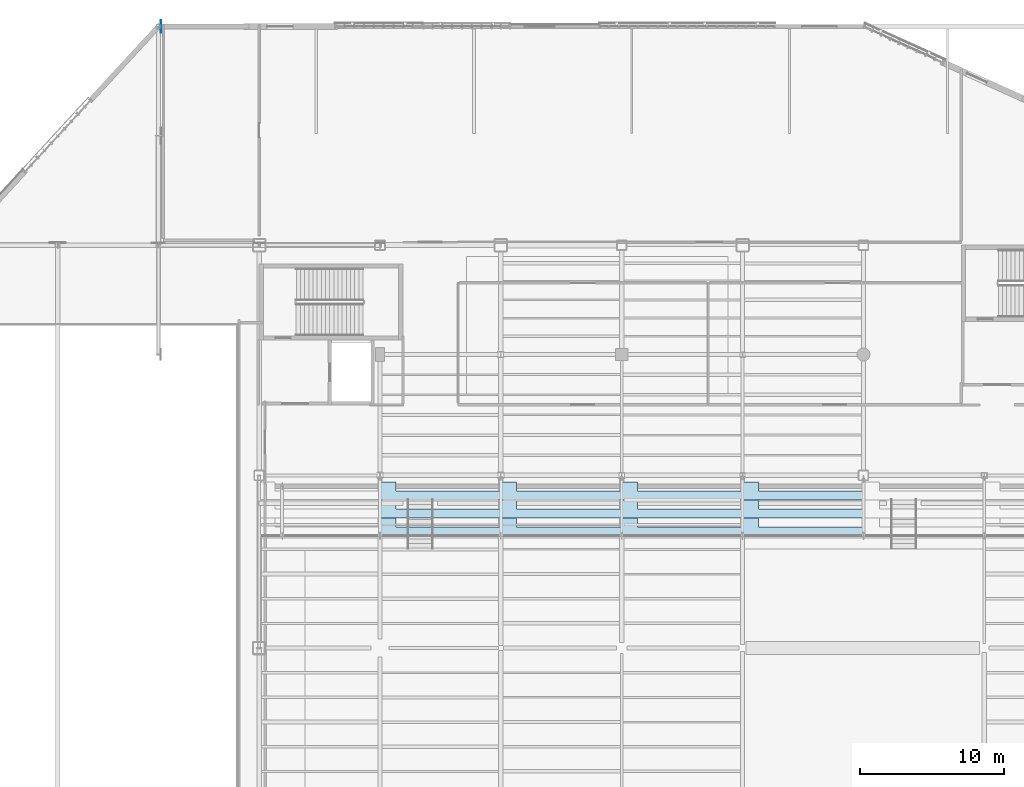
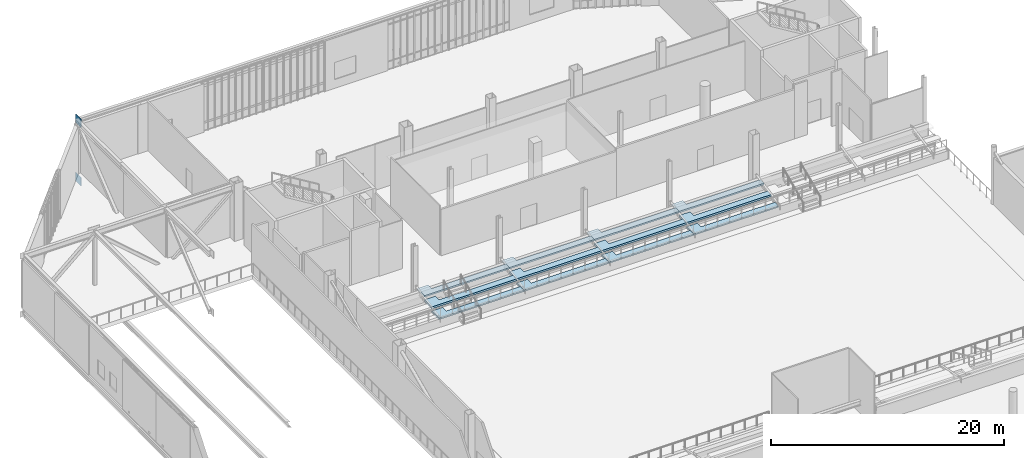
# One storey, part 74 of 135: 12 slabs, 2 plates.
"""IFC4 building model written with IfcOpenShell, lengths in metres."""

import ifcopenshell
import ifcopenshell.guid

model = None  # the IFC model being written
_history = None  # IfcOwnerHistory: only IFC2X3 demands one
_inside = {}  # id of a spatial element -> (the spatial element, [elements in it])
_under = {}  # id of a project, library or spatial element -> (it, [spatial elements below it])
_declared = {}  # id of a project -> (the project, [libraries it declares])
_typed = {}  # id of a type object -> (the type object, [elements of that type])
_made_of = {}  # id of a material, layer set ... -> (it, [elements and type objects made of it])


def new_model(schema):
    """Start an empty IFC model of exactly this schema.

    Asked for "IFC4X3", IfcOpenShell would pick the latest addendum, in which some entities
    have other attributes; the version numbers below select the first issue.
    IFC2X3 requires an IfcOwnerHistory on every rooted entity: one is made here for all.
    """
    global model, _history
    if schema == "IFC4X3":
        model = ifcopenshell.file(schema_version=(4, 3, 0, 0))
    else:
        model = ifcopenshell.file(schema=schema)
    _inside.clear()
    _under.clear()
    _declared.clear()
    _typed.clear()
    _made_of.clear()
    _history = None
    if model.schema == "IFC2X3":
        org = make("IfcOrganization", Name="unknown")
        user = make(
            "IfcPersonAndOrganization",
            ThePerson=make("IfcPerson", FamilyName="unknown"),
            TheOrganization=org,
        )
        app = make(
            "IfcApplication",
            ApplicationDeveloper=org,
            Version="unknown",
            ApplicationFullName="unknown",
            ApplicationIdentifier="unknown",
        )
        _history = make(
            "IfcOwnerHistory",
            OwningUser=user,
            OwningApplication=app,
            ChangeAction="ADDED",
            CreationDate=0,
        )
    return model


def make(cls, **values):
    """One entity of the class cls with the attributes given. An attribute that is None is left unset."""
    return model.create_entity(
        cls, **{name: value for name, value in values.items() if value is not None}
    )


def rooted(cls, **values):
    """An entity with a GlobalId (a new one), such as an element, a storey or a relation."""
    return make(cls, GlobalId=ifcopenshell.guid.new(), OwnerHistory=_history, **values)


def si_unit(unit_type, name, prefix=None):
    """IfcSIUnit, for example si_unit("LENGTHUNIT", "METRE", prefix="MILLI")."""
    return make("IfcSIUnit", UnitType=unit_type, Prefix=prefix, Name=name)


def assignment(units):
    """IfcUnitAssignment: the units of a project."""
    return None if units is None else make("IfcUnitAssignment", Units=units)


def point(xyz):
    """IfcCartesianPoint."""
    return None if xyz is None else make("IfcCartesianPoint", Coordinates=xyz)


def direction(xyz):
    """IfcDirection."""
    return None if xyz is None else make("IfcDirection", DirectionRatios=xyz)


def frame(location, z_axis=None, x_axis=None):
    """IfcAxis2Placement3D, a coordinate frame: its origin and axes. An axis left out is left unset."""
    return make(
        "IfcAxis2Placement3D",
        Location=point(location),
        Axis=direction(z_axis),
        RefDirection=direction(x_axis),
    )


def frame_2d(location, x_axis=None):
    """IfcAxis2Placement2D, a coordinate frame in the plane: its origin and x axis."""
    return make(
        "IfcAxis2Placement2D", Location=point(location), RefDirection=direction(x_axis)
    )


def origin():
    """The frame at (0, 0, 0) with its axes left unset."""
    return frame((0.0, 0.0, 0.0))


def origin_2d():
    """The frame at (0, 0) in the plane with its x axis left unset."""
    return frame_2d((0.0, 0.0))


def place(relative_to, where):
    """IfcLocalPlacement: puts the frame where relative to a parent placement (None: the world)."""
    return make(
        "IfcLocalPlacement", PlacementRelTo=relative_to, RelativePlacement=where
    )


def context(
    kind, dimensions, precision=None, world=None, true_north=None, identifier=None
):
    """IfcGeometricRepresentationContext, for example the 3D "Model" context."""
    return make(
        "IfcGeometricRepresentationContext",
        ContextIdentifier=identifier,
        ContextType=kind,
        CoordinateSpaceDimension=dimensions,
        Precision=precision,
        WorldCoordinateSystem=world,
        TrueNorth=true_north,
    )


def subcontext(parent, identifier, kind, view, scale=None):
    """IfcGeometricRepresentationSubContext, for example "Body" below "Model"."""
    return make(
        "IfcGeometricRepresentationSubContext",
        ContextIdentifier=identifier,
        ContextType=kind,
        ParentContext=parent,
        TargetScale=scale,
        TargetView=view,
    )


def project(units=None, contexts=None):
    """IfcProject with its units and contexts."""
    return rooted(
        "IfcProject",
        Name="project",
        RepresentationContexts=contexts,
        UnitsInContext=assignment(units),
    )


def spatial(cls, under=None, at=None, **own):
    """A site, building, storey or space (cls), placed at a placement, below another one or the project."""
    s = rooted(cls, ObjectPlacement=at, **own)
    if under is not None:
        _under.setdefault(under.id(), (under, []))[1].append(s)
    return s


def polyline(points):
    """IfcPolyline through the points."""
    return make("IfcPolyline", Points=[point(p) for p in points])


def profile(cls, at=None, kind="AREA", **sizes):
    """A parametric profile (cls). Its sizes go by their IFC names, for example OverallWidth=200.0."""
    return make(cls, ProfileType=kind, Position=at, **sizes)


def rectangle(**sizes):
    """IfcRectangleProfileDef."""
    return profile("IfcRectangleProfileDef", **sizes)


def outline(outer, holes=None, kind="AREA"):
    """IfcArbitraryClosedProfileDef: a profile drawn as a closed curve; with holes, ...WithVoids."""
    if holes is None:
        return make("IfcArbitraryClosedProfileDef", ProfileType=kind, OuterCurve=outer)
    return make(
        "IfcArbitraryProfileDefWithVoids",
        ProfileType=kind,
        OuterCurve=outer,
        InnerCurves=holes,
    )


def extrude(swept, where, along, depth):
    """IfcExtrudedAreaSolid: the profile swept, set in the frame where, extruded along a direction by depth."""
    return make(
        "IfcExtrudedAreaSolid",
        SweptArea=swept,
        Position=where,
        ExtrudedDirection=direction(along),
        Depth=depth,
    )


def shape(context_of_items, identifier, shape_type, items):
    """IfcShapeRepresentation: the items that make up one representation, for example the "Body"."""
    return make(
        "IfcShapeRepresentation",
        ContextOfItems=context_of_items,
        RepresentationIdentifier=identifier,
        RepresentationType=shape_type,
        Items=items,
    )


def material(Name=None, Category=None):
    """IfcMaterial."""
    return make("IfcMaterial", Name=Name, Category=Category)


def layer(
    of_material, thickness, ventilated=None, Name=None, Category=None, Priority=None
):
    """IfcMaterialLayer: one layer of a wall or slab, of a material (None: an air gap)."""
    return make(
        "IfcMaterialLayer",
        Material=of_material,
        LayerThickness=thickness,
        IsVentilated=ventilated,
        Name=Name,
        Category=Category,
        Priority=Priority,
    )


def layer_set(layers, Name=None):
    """IfcMaterialLayerSet."""
    return make("IfcMaterialLayerSet", MaterialLayers=layers, LayerSetName=Name)


def made_of(thing, what):
    """Note that an element or type object is made of a material, layer set ...; save() writes the relation."""
    if what is not None:
        _made_of.setdefault(what.id(), (what, []))[1].append(thing)
    return thing


def type_object(cls, material=None, **own):
    """A type object (cls), such as IfcWallType, which elements share."""
    return made_of(rooted(cls, **own), material)


def element(
    cls,
    number,
    at=None,
    inside=None,
    cuts=None,
    type_object=None,
    material=None,
    context=None,
    identifier="Body",
    shape_type=None,
    held_by="IfcProductDefinitionShape",
    body=None,
    shapes=None,
    **own,
):
    """One element of the class cls, such as IfcWall. Its Tag is "e" and its number.

    at: its placement. inside: the storey or other place that contains it. cuts: it is an
    opening in that element (IfcRelVoidsElement). A single representation is given by context,
    identifier, shape_type and body (its items); several are given by shapes. held_by: the class
    of the entity that holds the representations. save() writes the other relations.
    """
    e = rooted(cls, Tag="e%d" % number, ObjectPlacement=at, **own)
    if body is not None:
        shapes = [shape(context, identifier, shape_type, body)]
    if shapes is not None:
        e.Representation = make(held_by, Representations=shapes)
    if inside is not None:
        _inside.setdefault(inside.id(), (inside, []))[1].append(e)
    if cuts is not None:
        rooted(
            "IfcRelVoidsElement", RelatingBuildingElement=cuts, RelatedOpeningElement=e
        )
    if type_object is not None:
        _typed.setdefault(type_object.id(), (type_object, []))[1].append(e)
    return made_of(e, material)


def aggregate(whole, parts):
    """IfcRelAggregates: a whole, such as a stair, and the parts it consists of."""
    return rooted("IfcRelAggregates", RelatingObject=whole, RelatedObjects=parts)


def save(model, path):
    """Write the relations noted so far, then the file.

    IfcRelAggregates (storeys below a building ...), IfcRelContainedInSpatialStructure (elements
    in a storey), IfcRelDefinesByType, IfcRelAssociatesMaterial and IfcRelDeclares: one each for
    every whole, place, type object, material and project.
    """
    for whole, parts in _under.values():
        aggregate(whole, parts)
    for where, things in _inside.values():
        rooted(
            "IfcRelContainedInSpatialStructure",
            RelatedElements=things,
            RelatingStructure=where,
        )
    for kind, things in _typed.values():
        rooted("IfcRelDefinesByType", RelatedObjects=things, RelatingType=kind)
    for what, things in _made_of.values():
        rooted("IfcRelAssociatesMaterial", RelatedObjects=things, RelatingMaterial=what)
    for by, libraries in _declared.values():
        rooted("IfcRelDeclares", RelatingContext=by, RelatedDefinitions=libraries)
    model.write(path)


model = new_model("IFC4")

# Units and contexts
model_context = context("Model", 3, precision=1e-05, world=origin(), true_north=direction((0.0, 1.0)))
body_context = subcontext(model_context, "Body", "Model", "MODEL_VIEW")
ifc_project = project(units=[si_unit("LENGTHUNIT", "METRE"), si_unit("AREAUNIT", "SQUARE_METRE"), si_unit("VOLUMEUNIT", "CUBIC_METRE"), si_unit("PLANEANGLEUNIT", "RADIAN"), si_unit("MASSUNIT", "GRAM", prefix="KILO")], contexts=[model_context])

# Site, building, storey
site_placement = place(None, origin())
site = spatial("IfcSite", under=ifc_project, at=site_placement, CompositionType="ELEMENT")
building_placement = place(site_placement, origin())
building = spatial("IfcBuilding", under=site, at=building_placement, Name="Larkvane Passage Sports Hall", CompositionType="ELEMENT")
storey_placement = place(building_placement, frame((0.0, 0.0, 10.800048828125)))
storey = spatial("IfcBuildingStorey", under=building, at=storey_placement, Name="L02", CompositionType="ELEMENT", Elevation=10.800048828125)

# Plates
ifc_material_1 = material(Name="Steel S460N", Category="steel")
ifc_layer_1 = layer(ifc_material_1, 0.031982421875)
ifc_layer_set_1 = layer_set([ifc_layer_1], Name="Steel S460N")
plate_type = type_object("IfcPlateType", Name="PLT-GUS-32", PredefinedType="USERDEFINED", material=ifc_layer_set_1)
for number, where, z_axis, x_axis, name in (
    (1, (27.966064453125, 106.800048828125, -1.1640625), (0.0, 0.0, 1.0), (0.0, 1.0, 0.0), "Truss node gusset plate ND-4B (CT-N2A-1)"),
    (2, (27.966064453125, 106.800048828125, 4.93603515625), (0.0, 0.0, 1.0), (0.0, 1.0, 0.0), "Truss node gusset plate ND-4T (CT-N2A-1)"),
):
    element("IfcPlate", number, at=place(storey_placement, frame(where, z_axis=z_axis, x_axis=x_axis)), inside=storey, type_object=plate_type, Name=name, ObjectType="GUSSET PLATE", PredefinedType="USERDEFINED", context=body_context, shape_type="SweptSolid", body=[
        extrude(rectangle(XDim=0.89990234375, YDim=0.031982421875, at=origin_2d()), origin(), (0.0, 0.0, 1.0), 0.89990234375),
    ])

# Slabs
ifc_material_2 = material(Name="Precast concrete C45/55", Category="concrete")
ifc_layer_2 = layer(ifc_material_2, 0.159912109375)
ifc_layer_set_2 = layer_set([ifc_layer_2], Name="Precast concrete C45/55")
slab_type_1 = type_object("IfcSlabType", Name="SLB-TIER-160", PredefinedType="USERDEFINED", material=ifc_layer_set_2)
slab_1_placement = place(storey_placement, frame((0.0, 0.0, 0.68994140625)))
element("IfcSlab", 3, at=slab_1_placement, inside=storey, type_object=slab_type_1, Name="Spectator Stand Tier N2-1", ObjectType="SEATING TIER", PredefinedType="USERDEFINED", context=body_context, shape_type="SweptSolid", body=[
    extrude(outline(polyline([(43.199951171875, 71.39990234375), (51.60009765625, 71.39990234375), (51.60009765625, 72.02490234375), (44.300048828125, 72.02490234375), (44.300048828125, 72.64990234375), (43.199951171875, 72.64990234375), (43.199951171875, 71.39990234375)])), origin(), (0.0, 0.0, 1.0), 0.159912109375),
])
slab_2_placement = place(storey_placement, frame((0.0, 0.0, 1.530029296875)))
element("IfcSlab", 4, at=slab_2_placement, inside=storey, type_object=slab_type_1, Name="Spectator Stand Tier N2-3", ObjectType="SEATING TIER", PredefinedType="USERDEFINED", context=body_context, shape_type="SweptSolid", body=[
    extrude(outline(polyline([(43.199951171875, 73.89990234375), (51.60009765625, 73.89990234375), (51.60009765625, 74.52490234375), (44.300048828125, 74.52490234375), (44.300048828125, 75.14990234375), (43.199951171875, 75.14990234375), (43.199951171875, 73.89990234375)])), origin(), (0.0, 0.0, 1.0), 0.159912109375),
])
slab_3_placement = place(storey_placement, frame((0.0, 0.0, 0.68994140625)))
element("IfcSlab", 5, at=slab_3_placement, inside=storey, type_object=slab_type_1, Name="Spectator Stand Tier N3-1", ObjectType="SEATING TIER", PredefinedType="USERDEFINED", context=body_context, shape_type="SweptSolid", body=[
    extrude(outline(polyline([(51.60009765625, 71.39990234375), (60.0, 71.39990234375), (60.0, 72.02490234375), (52.699951171875, 72.02490234375), (52.699951171875, 72.64990234375), (51.60009765625, 72.64990234375), (51.60009765625, 71.39990234375)])), origin(), (0.0, 0.0, 1.0), 0.159912109375),
])
slab_4_placement = place(storey_placement, frame((0.0, 0.0, 1.530029296875)))
element("IfcSlab", 6, at=slab_4_placement, inside=storey, type_object=slab_type_1, Name="Spectator Stand Tier N3-3", ObjectType="SEATING TIER", PredefinedType="USERDEFINED", context=body_context, shape_type="SweptSolid", body=[
    extrude(outline(polyline([(51.60009765625, 73.89990234375), (60.0, 73.89990234375), (60.0, 74.52490234375), (52.699951171875, 74.52490234375), (52.699951171875, 75.14990234375), (51.60009765625, 75.14990234375), (51.60009765625, 73.89990234375)])), origin(), (0.0, 0.0, 1.0), 0.159912109375),
])
slab_5_placement = place(storey_placement, frame((0.0, 0.0, 0.68994140625)))
element("IfcSlab", 7, at=slab_5_placement, inside=storey, type_object=slab_type_1, Name="Spectator Stand Tier N4-1", ObjectType="SEATING TIER", PredefinedType="USERDEFINED", context=body_context, shape_type="SweptSolid", body=[
    extrude(outline(polyline([(60.0, 71.39990234375), (68.39990234375, 71.39990234375), (68.39990234375, 72.02490234375), (61.10009765625, 72.02490234375), (61.10009765625, 72.64990234375), (60.0, 72.64990234375), (60.0, 71.39990234375)])), origin(), (0.0, 0.0, 1.0), 0.159912109375),
])
slab_6_placement = place(storey_placement, frame((0.0, 0.0, 1.530029296875)))
element("IfcSlab", 8, at=slab_6_placement, inside=storey, type_object=slab_type_1, Name="Spectator Stand Tier N4-3", ObjectType="SEATING TIER", PredefinedType="USERDEFINED", context=body_context, shape_type="SweptSolid", body=[
    extrude(outline(polyline([(60.0, 73.89990234375), (68.39990234375, 73.89990234375), (68.39990234375, 74.52490234375), (61.10009765625, 74.52490234375), (61.10009765625, 75.14990234375), (60.0, 75.14990234375), (60.0, 73.89990234375)])), origin(), (0.0, 0.0, 1.0), 0.159912109375),
])
slab_7_placement = place(storey_placement, frame((0.0, 0.0, 0.68994140625)))
element("IfcSlab", 9, at=slab_7_placement, inside=storey, type_object=slab_type_1, Name="Spectator Stand Tier N5-1", ObjectType="SEATING TIER", PredefinedType="USERDEFINED", context=body_context, shape_type="SweptSolid", body=[
    extrude(outline(polyline([(68.39990234375, 71.39990234375), (76.800048828125, 71.39990234375), (76.800048828125, 72.02490234375), (69.5, 72.02490234375), (69.5, 72.64990234375), (68.39990234375, 72.64990234375), (68.39990234375, 71.39990234375)])), origin(), (0.0, 0.0, 1.0), 0.159912109375),
])
slab_8_placement = place(storey_placement, frame((0.0, 0.0, 1.530029296875)))
element("IfcSlab", 10, at=slab_8_placement, inside=storey, type_object=slab_type_1, Name="Spectator Stand Tier N5-3", ObjectType="SEATING TIER", PredefinedType="USERDEFINED", context=body_context, shape_type="SweptSolid", body=[
    extrude(outline(polyline([(68.39990234375, 73.89990234375), (76.800048828125, 73.89990234375), (76.800048828125, 74.52490234375), (69.5, 74.52490234375), (69.5, 75.14990234375), (68.39990234375, 75.14990234375), (68.39990234375, 73.89990234375)])), origin(), (0.0, 0.0, 1.0), 0.159912109375),
])
ifc_layer_3 = layer(ifc_material_2, 0.205078125)
ifc_layer_set_3 = layer_set([ifc_layer_3], Name="Precast concrete C45/55")
slab_type_2 = type_object("IfcSlabType", Name="SLB-TIER-205", PredefinedType="USERDEFINED", material=ifc_layer_set_3)
slab_9_placement = place(storey_placement, frame((0.0, 0.0, 1.06494140625)))
element("IfcSlab", 11, at=slab_9_placement, inside=storey, type_object=slab_type_2, Name="Spectator Stand Tier N2-2", ObjectType="SEATING TIER", PredefinedType="USERDEFINED", context=body_context, shape_type="SweptSolid", body=[
    extrude(outline(polyline([(43.199951171875, 72.64990234375), (51.60009765625, 72.64990234375), (51.60009765625, 73.27490234375), (44.300048828125, 73.27490234375), (44.300048828125, 73.89990234375), (43.199951171875, 73.89990234375), (43.199951171875, 72.64990234375)])), origin(), (0.0, 0.0, 1.0), 0.205078125),
])
slab_10_placement = place(storey_placement, frame((0.0, 0.0, 1.06494140625)))
element("IfcSlab", 12, at=slab_10_placement, inside=storey, type_object=slab_type_2, Name="Spectator Stand Tier N3-2", ObjectType="SEATING TIER", PredefinedType="USERDEFINED", context=body_context, shape_type="SweptSolid", body=[
    extrude(outline(polyline([(51.60009765625, 72.64990234375), (60.0, 72.64990234375), (60.0, 73.27490234375), (52.699951171875, 73.27490234375), (52.699951171875, 73.89990234375), (51.60009765625, 73.89990234375), (51.60009765625, 72.64990234375)])), origin(), (0.0, 0.0, 1.0), 0.205078125),
])
slab_11_placement = place(storey_placement, frame((0.0, 0.0, 1.06494140625)))
element("IfcSlab", 13, at=slab_11_placement, inside=storey, type_object=slab_type_2, Name="Spectator Stand Tier N4-2", ObjectType="SEATING TIER", PredefinedType="USERDEFINED", context=body_context, shape_type="SweptSolid", body=[
    extrude(outline(polyline([(60.0, 72.64990234375), (68.39990234375, 72.64990234375), (68.39990234375, 73.27490234375), (61.10009765625, 73.27490234375), (61.10009765625, 73.89990234375), (60.0, 73.89990234375), (60.0, 72.64990234375)])), origin(), (0.0, 0.0, 1.0), 0.205078125),
])
slab_12_placement = place(storey_placement, frame((0.0, 0.0, 1.06494140625)))
element("IfcSlab", 14, at=slab_12_placement, inside=storey, type_object=slab_type_2, Name="Spectator Stand Tier N5-2", ObjectType="SEATING TIER", PredefinedType="USERDEFINED", context=body_context, shape_type="SweptSolid", body=[
    extrude(outline(polyline([(68.39990234375, 72.64990234375), (76.800048828125, 72.64990234375), (76.800048828125, 73.27490234375), (69.5, 73.27490234375), (69.5, 73.89990234375), (68.39990234375, 73.89990234375), (68.39990234375, 72.64990234375)])), origin(), (0.0, 0.0, 1.0), 0.205078125),
])

save(model, "model.ifc")
